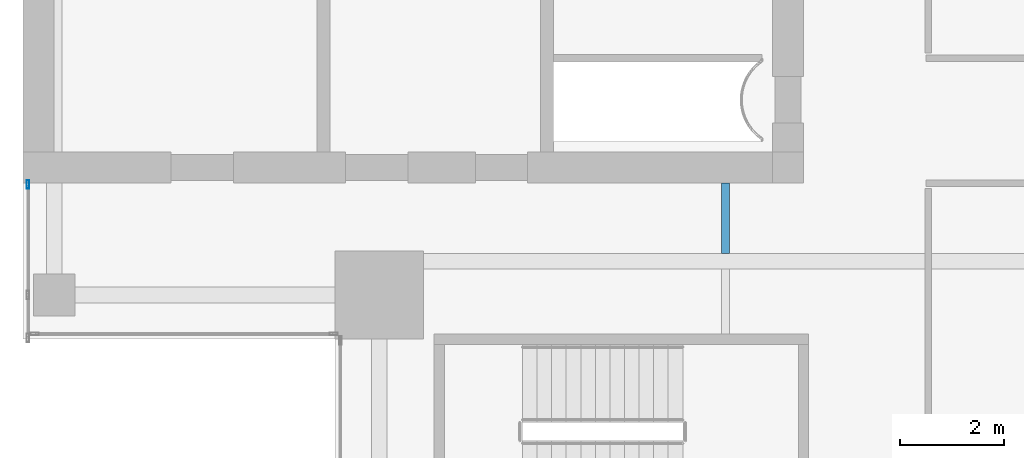
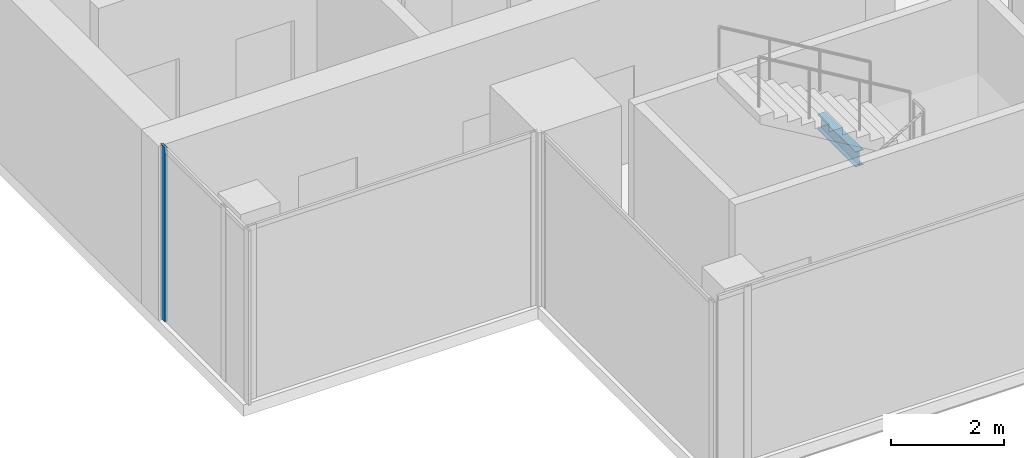
# One storey, part 4 of 29: 1 beam, 1 member, 1 element without a shape of its own.
"""IFC4 building model written with IfcOpenShell, lengths in metres."""

from ifc_helpers import new_model, si_unit, direction, frame, origin, origin_2d, place, context, subcontext, project, spatial, hollow_rectangle, i_section, extrude, source, transform, mapped, material, material_profile, profile_set, type_object, element, aggregate, save


model = new_model("IFC4")

# Units and contexts
model_context = context("Model", 3, precision=1e-05, world=origin(), true_north=direction((0.0, 1.0)))
body_context = subcontext(model_context, "Body", "Model", "MODEL_VIEW")
ifc_project = project(units=[si_unit("LENGTHUNIT", "METRE"), si_unit("AREAUNIT", "SQUARE_METRE"), si_unit("VOLUMEUNIT", "CUBIC_METRE"), si_unit("PLANEANGLEUNIT", "RADIAN"), si_unit("MASSUNIT", "GRAM", prefix="KILO")], contexts=[model_context])

# Site, building, storey
site_placement = place(None, origin())
site = spatial("IfcSite", under=ifc_project, at=site_placement, CompositionType="ELEMENT")
building_placement = place(site_placement, origin())
building = spatial("IfcBuilding", under=site, at=building_placement, Name="Khomas Fold Tower", CompositionType="ELEMENT")
storey_placement = place(building_placement, frame((0.0, 0.0, 322.199951171875)))
storey = spatial("IfcBuildingStorey", under=building, at=storey_placement, Name="L73", CompositionType="ELEMENT", Elevation=322.199951171875)

# Beam
ifc_material_1 = material(Name="Steel S355", Category="steel")
ifc_material_profile_1 = material_profile(ifc_material_1, i_section(OverallWidth=0.159912109375, OverallDepth=0.330078125, WebThickness=0.007568359375, FlangeThickness=0.011474609375, at=origin_2d()), Name="IPE 330")
ifc_profile_set_1 = profile_set([ifc_material_profile_1], Name="Steel S355")
beam_type = type_object("IfcBeamType", Name="IPE 330 beam JB1", PredefinedType="BEAM", material=ifc_profile_set_1)
shared_shape_1 = source(origin(), body_context, "Body", "SweptSolid", [
    extrude(i_section(OverallWidth=0.159912109375, OverallDepth=0.330078125, WebThickness=0.007568359375, FlangeThickness=0.011474609375, at=origin_2d()), origin(), (0.0, 0.0, 1.0), 1.35009765625),
])
beam_placement = place(storey_placement, frame((19.5, 13.64990234375, -0.4150390625), z_axis=(0.0, 1.0, 0.0), x_axis=(-1.0, 0.0, 0.0)))
element("IfcBeam", 1, at=beam_placement, inside=storey, type_object=beam_type, Name="JB1", PredefinedType="BEAM", context=body_context, shape_type="MappedRepresentation", body=[
    mapped(shared_shape_1, transform((0.0, 0.0, 0.0))),
])

# Curtain wall, member
ifc_material_2 = material(Name="Aluminium framed double glazing", Category="aluminium")
curtain_wall_type = type_object("IfcCurtainWallType", Name="SK-Unitised clear-glass wall, upper floors CW3", PredefinedType="NOTDEFINED", material=ifc_material_2)
curtain_wall_placement = place(storey_placement, origin())
curtain_wall = element("IfcCurtainWall", 2, at=curtain_wall_placement, inside=storey, type_object=curtain_wall_type, Name="CW3 run L73 09-1", PredefinedType="NOTDEFINED")
ifc_material_3 = material(Name="Aluminium", Category="aluminium")
ifc_material_profile_2 = material_profile(ifc_material_3, hollow_rectangle(XDim=0.050048828125, YDim=0.159912109375, WallThickness=0.00390625, at=origin_2d()), Name="SK-Unitised clear-glass wall, upper floors mullion CW3-M")
ifc_profile_set_2 = profile_set([ifc_material_profile_2], Name="Aluminium")
member_type = type_object("IfcMemberType", Name="SK-Unitised clear-glass wall, upper floors mullion CW3-M", PredefinedType="MULLION", material=ifc_profile_set_2)
shared_shape_2 = source(origin(), body_context, "Body", "SweptSolid", [
    extrude(hollow_rectangle(XDim=0.050048828125, YDim=0.159912109375, WallThickness=0.00390625, at=origin_2d()), origin(), (0.0, 0.0, 1.0), 3.75),
])
member_placement = place(storey_placement, frame((6.10009765625, 14.97509765625, 0.0), z_axis=(0.0, 0.0, 1.0), x_axis=(1.0, 0.0, 0.0)))
member = element("IfcMember", 3, at=member_placement, type_object=member_type, Name="CW3 mullion 1", PredefinedType="MULLION", context=body_context, shape_type="MappedRepresentation", body=[
    mapped(shared_shape_2, transform((0.0, 0.0, 0.0))),
])
aggregate(curtain_wall, [member])

save(model, "model.ifc")
